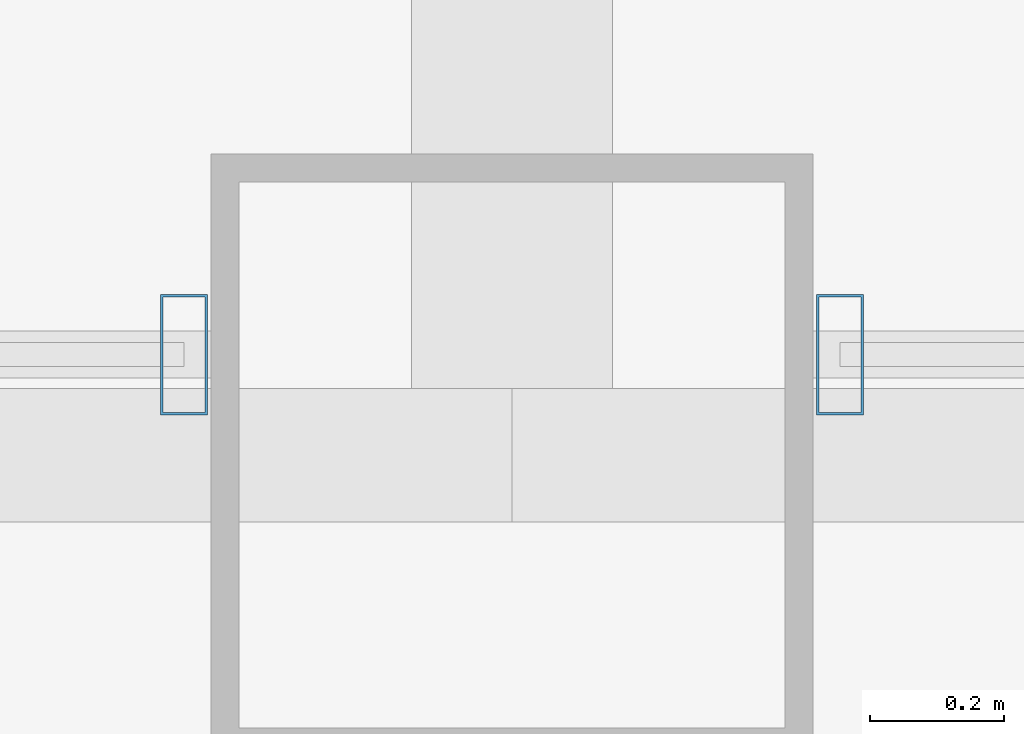
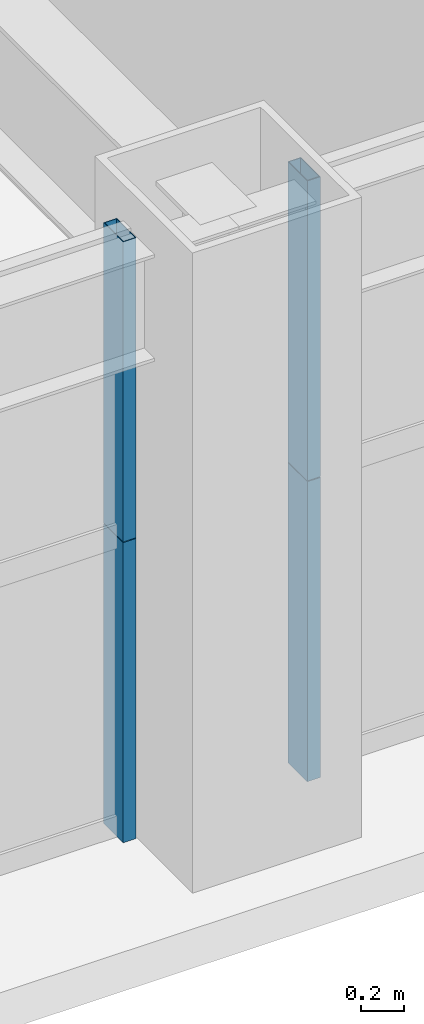
# One storey, part 7 of 43: 4 members, 2 elements without a shape of their own.
"""IFC4 building model written with IfcOpenShell, lengths in metres."""

from ifc_helpers import new_model, si_unit, direction, frame, origin, origin_2d, place, context, subcontext, project, spatial, hollow_rectangle, extrude, source, transform, mapped, material, layer, layer_set, material_profile, profile_set, type_object, element, aggregate, save


model = new_model("IFC4")

# Units and contexts
model_context = context("Model", 3, precision=1e-05, world=origin(), true_north=direction((0.0, 1.0)))
body_context = subcontext(model_context, "Body", "Model", "MODEL_VIEW")
ifc_project = project(units=[si_unit("LENGTHUNIT", "METRE"), si_unit("AREAUNIT", "SQUARE_METRE"), si_unit("VOLUMEUNIT", "CUBIC_METRE"), si_unit("PLANEANGLEUNIT", "RADIAN"), si_unit("MASSUNIT", "GRAM", prefix="KILO"), si_unit("THERMODYNAMICTEMPERATUREUNIT", "KELVIN"), si_unit("POWERUNIT", "WATT")], contexts=[model_context])

# Site, building, storey
site_placement = place(None, origin())
site = spatial("IfcSite", under=ifc_project, at=site_placement, CompositionType="ELEMENT")
building_placement = place(site_placement, origin())
building = spatial("IfcBuilding", under=site, at=building_placement, Name="Yuzanri Waterfront Tower", CompositionType="ELEMENT")
storey_placement = place(building_placement, frame((0.0, 0.0, 67.60009765625)))
storey = spatial("IfcBuildingStorey", under=building, at=storey_placement, Name="L17", CompositionType="ELEMENT", Elevation=67.60009765625)

# Curtain wall, members
ifc_material_1 = material(Name="Anodized Architectural Bronze", Category="metal")
ifc_layer = layer(ifc_material_1, 0.159912109375)
ifc_layer_set = layer_set([ifc_layer], Name="Anodized Architectural Bronze")
curtain_wall_type = type_object("IfcCurtainWallType", Name="Anodized Bronze Hotel Lower-Tier Recessed Unitized Curtain Wall 8100", PredefinedType="NOTDEFINED", material=ifc_layer_set)
curtain_wall_1_placement = place(storey_placement, origin())
curtain_wall_1 = element("IfcCurtainWall", 1, at=curtain_wall_1_placement, inside=storey, type_object=curtain_wall_type, Name="L17 Curtain Wall CW-L17-SL", PredefinedType="NOTDEFINED")
ifc_material_2 = material(Name="Anodized Architectural Bronze", Category="metal")
ifc_material_profile = material_profile(ifc_material_2, hollow_rectangle(XDim=0.070068359375, YDim=0.179931640625, WallThickness=0.00390625, at=origin_2d()), Name="CWM 70x180")
ifc_profile_set = profile_set([ifc_material_profile], Name="Anodized Architectural Bronze")
member_type = type_object("IfcMemberType", Name="Anodized Bronze Standard Curtain-Wall Mullion 70x180", PredefinedType="MULLION", material=ifc_profile_set)
shared_shape = source(origin(), body_context, "Body", "SweptSolid", [
    extrude(hollow_rectangle(XDim=0.070068359375, YDim=0.179931640625, WallThickness=0.00390625, at=origin_2d()), origin(), (0.0, 0.0, 1.0), 1.68798828125),
])
member_1_placement = place(storey_placement, frame((36.510009765625, 0.85009765625, 0.0), z_axis=(0.0, 0.0, 1.0), x_axis=(1.0, 0.0, 0.0)))
member_1 = element("IfcMember", 2, at=member_1_placement, type_object=member_type, Name="CW-L17-SL Lower Mullion 02", PredefinedType="MULLION", context=body_context, shape_type="MappedRepresentation", body=[
    mapped(shared_shape, transform((0.0, 0.0, 0.0), scale=1.0)),
])
member_2_placement = place(storey_placement, frame((36.510009765625, 0.85009765625, 1.69189453125), z_axis=(0.0, 0.0, 1.0), x_axis=(1.0, 0.0, 0.0)))
member_2 = element("IfcMember", 3, at=member_2_placement, type_object=member_type, Name="CW-L17-SL Upper Mullion 02", PredefinedType="MULLION", context=body_context, shape_type="MappedRepresentation", body=[
    mapped(shared_shape, transform((0.0, 0.0, 0.0), scale=1.0)),
])
aggregate(curtain_wall_1, [member_1, member_2])

curtain_wall_2_placement = place(storey_placement, origin())
curtain_wall_2 = element("IfcCurtainWall", 4, at=curtain_wall_2_placement, inside=storey, type_object=curtain_wall_type, Name="L17 Curtain Wall CW-L17-SR", PredefinedType="NOTDEFINED")
member_3_placement = place(storey_placement, frame((37.489990234375, 0.85009765625, 0.0), z_axis=(0.0, 0.0, 1.0), x_axis=(1.0, 0.0, 0.0)))
member_3 = element("IfcMember", 5, at=member_3_placement, type_object=member_type, Name="CW-L17-SR Lower Mullion 00", PredefinedType="MULLION", context=body_context, shape_type="MappedRepresentation", body=[
    mapped(shared_shape, transform((0.0, 0.0, 0.0), scale=1.0)),
])
member_4_placement = place(storey_placement, frame((37.489990234375, 0.85009765625, 1.69189453125), z_axis=(0.0, 0.0, 1.0), x_axis=(1.0, 0.0, 0.0)))
member_4 = element("IfcMember", 6, at=member_4_placement, type_object=member_type, Name="CW-L17-SR Upper Mullion 00", PredefinedType="MULLION", context=body_context, shape_type="MappedRepresentation", body=[
    mapped(shared_shape, transform((0.0, 0.0, 0.0), scale=1.0)),
])
aggregate(curtain_wall_2, [member_3, member_4])

save(model, "model.ifc")
